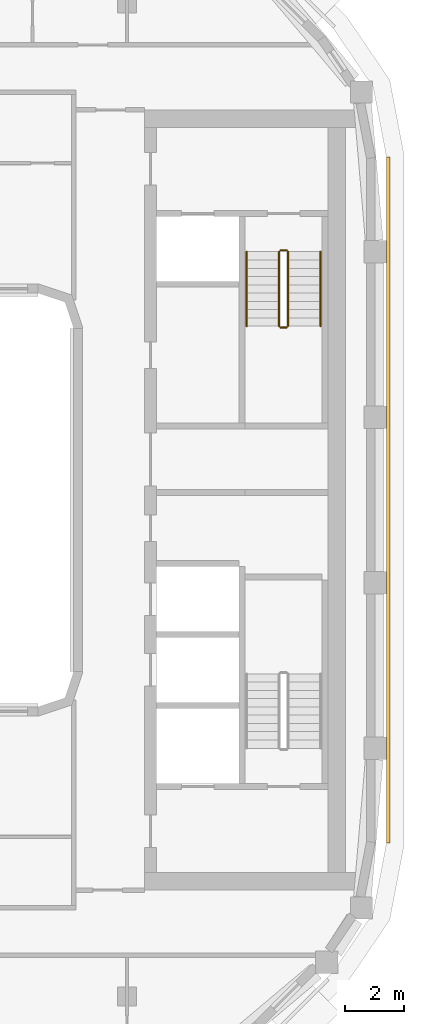
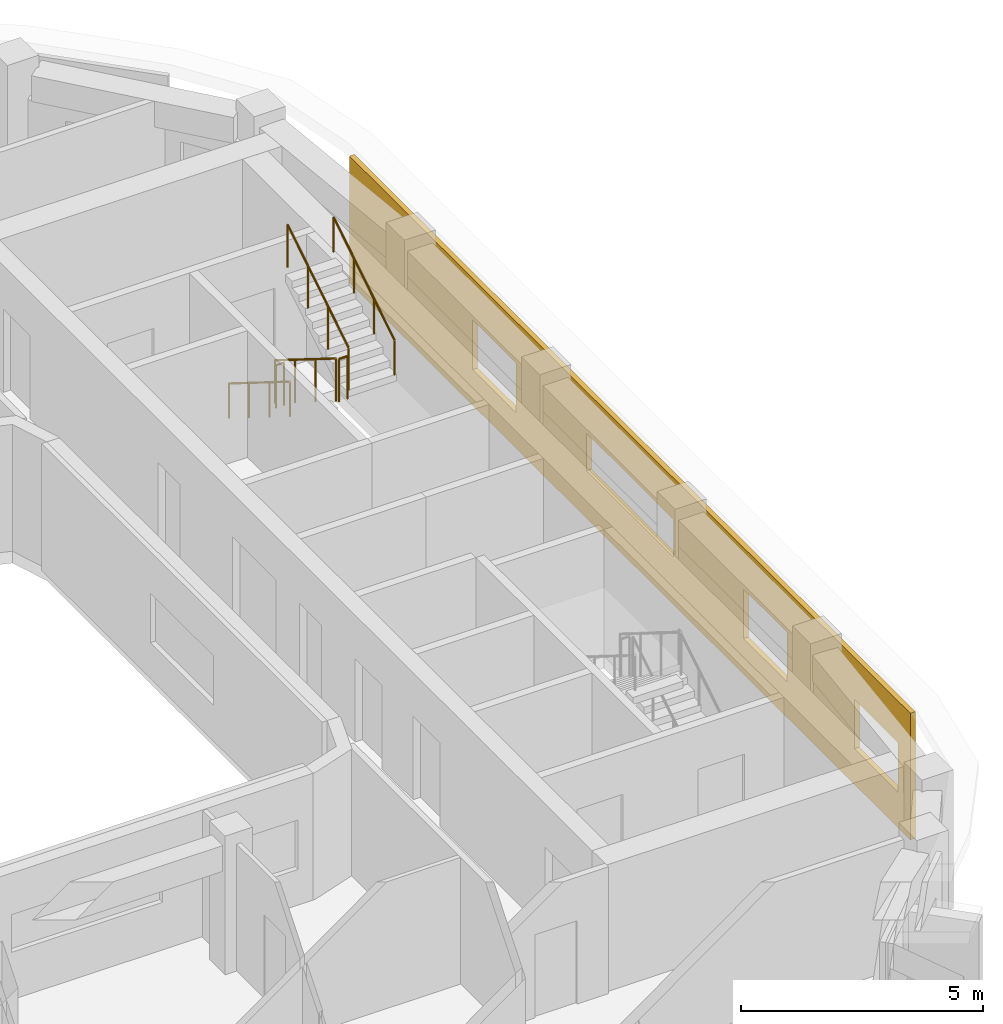
# One storey, part 15 of 16: 6 railings, 1 covering.
"""IFC4 building model written with IfcOpenShell, lengths in metres."""

from ifc_helpers import new_model, si_unit, direction, frame, origin, origin_2d, place, context, subcontext, project, spatial, polyline, circle, outline, extrude, material, layer, layer_set, type_object, element, save


model = new_model("IFC4")

# Units and contexts
model_context = context("Model", 3, precision=1e-05, world=origin(), true_north=direction((0.0, 1.0)))
body_context = subcontext(model_context, "Body", "Model", "MODEL_VIEW")
ifc_project = project(units=[si_unit("LENGTHUNIT", "METRE"), si_unit("AREAUNIT", "SQUARE_METRE"), si_unit("VOLUMEUNIT", "CUBIC_METRE"), si_unit("PLANEANGLEUNIT", "RADIAN"), si_unit("MASSUNIT", "GRAM", prefix="KILO")], contexts=[model_context])

# Site, building, storey
site_placement = place(None, origin())
site = spatial("IfcSite", under=ifc_project, at=site_placement, CompositionType="ELEMENT")
building_placement = place(site_placement, origin())
building = spatial("IfcBuilding", under=site, at=building_placement, Name="Kiln Ring Residences", CompositionType="ELEMENT")
storey_placement = place(building_placement, frame((0.0, 0.0, 273.199951171875)))
storey = spatial("IfcBuildingStorey", under=building, at=storey_placement, Name="L71", CompositionType="ELEMENT", Elevation=273.199951171875)

# Railings
ifc_material_1 = material(Name="Stainless steel", Category="steel")
railing_type_1 = type_object("IfcRailingType", Name="CORE-STAIR-GUARD", PredefinedType="GUARDRAIL", material=ifc_material_1)
railing_1_placement = place(storey_placement, frame((21.949951171875, 8.39990234375, 0.175048828125)))
element("IfcRailing", 1, at=railing_1_placement, inside=storey, type_object=railing_type_1, Name="L71 E-STN stair guard 1", PredefinedType="GUARDRAIL", context=body_context, shape_type="SweptSolid", body=[
    extrude(circle(Radius=0.02392578125, at=origin_2d()), frame((0.0, 0.0, 1.076171875), z_axis=(0.0, -0.848007534815, 0.529984170421), x_axis=(1.0, 0.0, 0.0)), (0.0, 0.0, 1.0), 2.9716796875),
    extrude(circle(Radius=0.02099609375, at=origin_2d()), origin(), (0.0, 0.0, 1.0), 1.052001953125),
    extrude(circle(Radius=0.02099609375, at=origin_2d()), frame((0.0, -0.840087890625, 0.52490234375)), (0.0, 0.0, 1.0), 1.052001953125),
    extrude(circle(Radius=0.02099609375, at=origin_2d()), frame((0.0, -1.679931640625, 1.050048828125)), (0.0, 0.0, 1.0), 1.052001953125),
    extrude(circle(Radius=0.02099609375, at=origin_2d()), frame((0.0, -2.52001953125, 1.574951171875)), (0.0, 0.0, 1.0), 1.052001953125),
])
railing_2_placement = place(storey_placement, frame((22.0, 5.830078125, 1.75)))
element("IfcRailing", 2, at=railing_2_placement, inside=storey, type_object=railing_type_1, Name="L71 E-STN stair guard 2", PredefinedType="GUARDRAIL", context=body_context, shape_type="SweptSolid", body=[
    extrude(circle(Radius=0.02392578125, at=origin_2d()), frame((0.0, 0.0, 1.076171875), z_axis=(1.0, 0.0, 0.0), x_axis=(0.0, 1.0, 0.0)), (0.0, 0.0, 1.0), 0.199951171875),
    extrude(circle(Radius=0.02099609375, at=origin_2d()), origin(), (0.0, 0.0, 1.0), 1.052001953125),
    extrude(circle(Radius=0.02099609375, at=origin_2d()), frame((0.199951171875, 0.0, 0.0)), (0.0, 0.0, 1.0), 1.052001953125),
])
railing_3_placement = place(storey_placement, frame((22.25, 5.8798828125, 1.925048828125)))
element("IfcRailing", 3, at=railing_3_placement, inside=storey, type_object=railing_type_1, Name="L71 E-STN stair guard 3", PredefinedType="GUARDRAIL", context=body_context, shape_type="SweptSolid", body=[
    extrude(circle(Radius=0.02392578125, at=origin_2d()), frame((0.0, 0.0, 1.076171875), z_axis=(0.0, 0.848007534815, 0.529984170421), x_axis=(-1.0, 0.0, 0.0)), (0.0, 0.0, 1.0), 2.9716796875),
    extrude(circle(Radius=0.02099609375, at=origin_2d()), origin(), (0.0, 0.0, 1.0), 1.052001953125),
    extrude(circle(Radius=0.02099609375, at=origin_2d()), frame((0.0, 0.840087890625, 0.52490234375)), (0.0, 0.0, 1.0), 1.052001953125),
    extrude(circle(Radius=0.02099609375, at=origin_2d()), frame((0.0, 1.679931640625, 1.050048828125)), (0.0, 0.0, 1.0), 1.052001953125),
    extrude(circle(Radius=0.02099609375, at=origin_2d()), frame((0.0, 2.52001953125, 1.574951171875)), (0.0, 0.0, 1.0), 1.052001953125),
])
railing_4_placement = place(storey_placement, frame((22.0, 8.449951171875, 0.0)))
element("IfcRailing", 4, at=railing_4_placement, inside=storey, type_object=railing_type_1, Name="L71 E-STN stair guard 4", PredefinedType="GUARDRAIL", context=body_context, shape_type="SweptSolid", body=[
    extrude(circle(Radius=0.02392578125, at=origin_2d()), frame((0.0, 0.0, 1.076171875), z_axis=(1.0, 0.0, 0.0), x_axis=(0.0, 1.0, 0.0)), (0.0, 0.0, 1.0), 0.199951171875),
    extrude(circle(Radius=0.02099609375, at=origin_2d()), origin(), (0.0, 0.0, 1.0), 1.052001953125),
    extrude(circle(Radius=0.02099609375, at=origin_2d()), frame((0.199951171875, 0.0, 0.0)), (0.0, 0.0, 1.0), 1.052001953125),
])
ifc_material_2 = material(Name="Stainless steel", Category="steel")
railing_type_2 = type_object("IfcRailingType", Name="CORE-STAIR-HANDRAIL", PredefinedType="HANDRAIL", material=ifc_material_2)
railing_5_placement = place(storey_placement, frame((20.85009765625, 8.39990234375, 0.175048828125)))
element("IfcRailing", 5, at=railing_5_placement, inside=storey, type_object=railing_type_2, Name="L71 E-STN stair handrail 1", PredefinedType="HANDRAIL", context=body_context, shape_type="SweptSolid", body=[
    extrude(circle(Radius=0.02392578125, at=origin_2d()), frame((0.0, 0.0, 0.8759765625), z_axis=(0.0, -0.848007534815, 0.529984170421), x_axis=(1.0, 0.0, 0.0)), (0.0, 0.0, 1.0), 2.9716796875),
    extrude(circle(Radius=0.02099609375, at=origin_2d()), origin(), (0.0, 0.0, 1.0), 0.851806640625),
    extrude(circle(Radius=0.02099609375, at=origin_2d()), frame((0.0, -0.840087890625, 0.52490234375)), (0.0, 0.0, 1.0), 0.851806640625),
    extrude(circle(Radius=0.02099609375, at=origin_2d()), frame((0.0, -1.679931640625, 1.050048828125)), (0.0, 0.0, 1.0), 0.851806640625),
    extrude(circle(Radius=0.02099609375, at=origin_2d()), frame((0.0, -2.52001953125, 1.574951171875)), (0.0, 0.0, 1.0), 0.851806640625),
])
railing_6_placement = place(storey_placement, frame((23.35009765625, 5.8798828125, 1.925048828125)))
element("IfcRailing", 6, at=railing_6_placement, inside=storey, type_object=railing_type_2, Name="L71 E-STN stair handrail 2", PredefinedType="HANDRAIL", context=body_context, shape_type="SweptSolid", body=[
    extrude(circle(Radius=0.02392578125, at=origin_2d()), frame((0.0, 0.0, 0.8759765625), z_axis=(0.0, 0.848007534815, 0.529984170421), x_axis=(-1.0, 0.0, 0.0)), (0.0, 0.0, 1.0), 2.9716796875),
    extrude(circle(Radius=0.02099609375, at=origin_2d()), origin(), (0.0, 0.0, 1.0), 0.851806640625),
    extrude(circle(Radius=0.02099609375, at=origin_2d()), frame((0.0, 0.840087890625, 0.52490234375)), (0.0, 0.0, 1.0), 0.851806640625),
    extrude(circle(Radius=0.02099609375, at=origin_2d()), frame((0.0, 1.679931640625, 1.050048828125)), (0.0, 0.0, 1.0), 0.851806640625),
    extrude(circle(Radius=0.02099609375, at=origin_2d()), frame((0.0, 2.52001953125, 1.574951171875)), (0.0, 0.0, 1.0), 0.851806640625),
])

# Covering
ifc_material_3 = material(Name="Brick masonry, dark clay brick", Category="masonry")
ifc_layer = layer(ifc_material_3, 0.1201171875)
ifc_layer_set = layer_set([ifc_layer], Name="RAINSCREEN PANEL 120")
covering_type = type_object("IfcCoveringType", Name="RAINSCREEN PANEL 120", PredefinedType="CLADDING", material=ifc_layer_set)
covering_placement = place(storey_placement, frame((25.635009765625, -11.60009765625, 0.0), z_axis=(0.0, 0.0, 1.0), x_axis=(0.0, 1.0, 0.0)))
element("IfcCovering", 7, at=covering_placement, inside=storey, type_object=covering_type, Name="RAINSCREEN L71", PredefinedType="CLADDING", context=body_context, shape_type="SweptSolid", body=[
    extrude(outline(polyline([(0.0, 0.0), (23.199951171875, 0.0), (23.199951171875, 3.199951171875), (0.0, 3.199951171875), (0.0, 0.0)]), holes=[polyline([(2.3125, 0.900146484375), (2.3125, 2.150146484375), (0.512451171875, 2.150146484375), (0.512451171875, 0.900146484375), (2.3125, 0.900146484375)]), polyline([(6.89990234375, 0.900146484375), (6.89990234375, 2.150146484375), (5.10009765625, 2.150146484375), (5.10009765625, 0.900146484375), (6.89990234375, 0.900146484375)]), polyline([(18.10009765625, 0.900146484375), (18.10009765625, 2.150146484375), (16.300048828125, 2.150146484375), (16.300048828125, 0.900146484375), (18.10009765625, 0.900146484375)]), polyline([(13.39990234375, 1.199951171875), (13.39990234375, 2.150146484375), (9.800048828125, 2.150146484375), (9.800048828125, 1.199951171875), (13.39990234375, 1.199951171875)])]), frame((0.0, 0.06005859375, 0.0), z_axis=(0.0, -1.0, 0.0), x_axis=(1.0, 0.0, 0.0)), (0.0, 0.0, 1.0), 0.1201171875),
])

save(model, "model.ifc")
